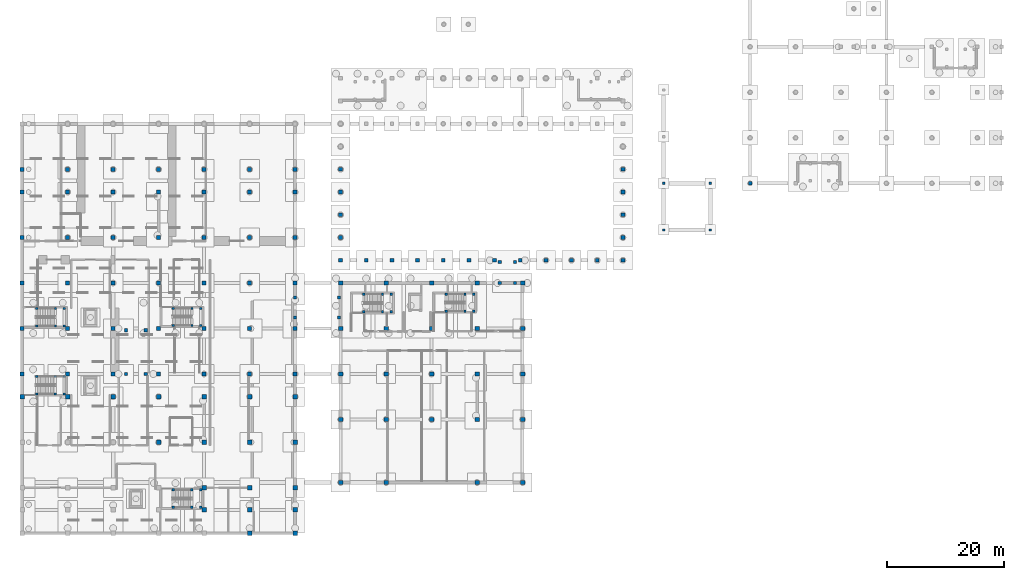
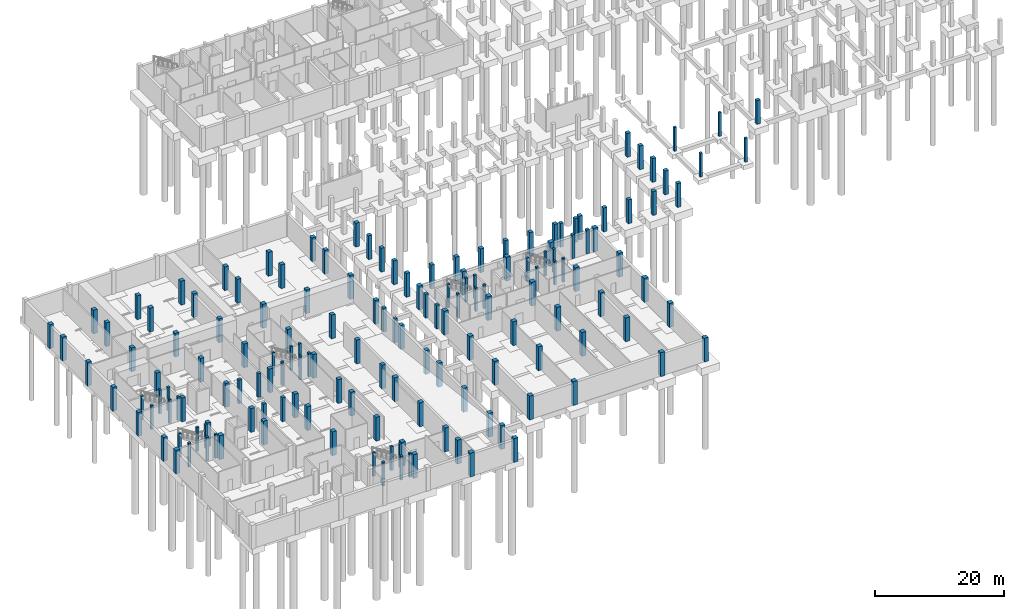
# One storey, part 6 of 24: 158 columns.
"""IFC4 building model written with IfcOpenShell, lengths in metres."""

from ifc_helpers import new_model, si_unit, direction, frame, origin, origin_2d, place, context, subcontext, project, spatial, rectangle, extrude, material, material_profile, profile_set, type_object, element, save


model = new_model("IFC4")

# Units and contexts
model_context = context("Model", 3, precision=1e-05, world=origin(), true_north=direction((0.0, 1.0)))
body_context = subcontext(model_context, "Body", "Model", "MODEL_VIEW")
ifc_project = project(units=[si_unit("LENGTHUNIT", "METRE"), si_unit("AREAUNIT", "SQUARE_METRE"), si_unit("VOLUMEUNIT", "CUBIC_METRE"), si_unit("PLANEANGLEUNIT", "RADIAN"), si_unit("MASSUNIT", "GRAM", prefix="KILO")], contexts=[model_context])

# Site, building, storey
site_placement = place(None, origin())
site = spatial("IfcSite", under=ifc_project, at=site_placement, CompositionType="ELEMENT")
building_placement = place(site_placement, origin())
building = spatial("IfcBuilding", under=site, at=building_placement, Name="Celorna Specialist Clinic", CompositionType="ELEMENT")
storey_placement = place(building_placement, frame((0.0, 0.0, -4.5)))
storey = spatial("IfcBuildingStorey", under=building, at=storey_placement, Name="B01", CompositionType="ELEMENT", Elevation=-4.5)

# Columns
ifc_material_1 = material(Name="Concrete C40/50", Category="concrete")
ifc_material_profile_1 = material_profile(ifc_material_1, rectangle(XDim=0.75, YDim=0.75, at=origin_2d()), Name="RC 750x750")
ifc_profile_set_1 = profile_set([ifc_material_profile_1], Name="Concrete C40/50")
column_type_1 = type_object("IfcColumnType", Name="CT-01", PredefinedType="COLUMN", material=ifc_profile_set_1)
for number, where, z_axis, x_axis, name in (
    (1, (0.0, 23.39990234375, 0.0), (0.0, 0.0, 1.0), (1.0, 0.0, 0.0), "Column CT-01 B01 X01/YE"),
    (2, (7.800048828125, 23.39990234375, 0.0), (0.0, 0.0, 1.0), (1.0, 0.0, 0.0), "Column CT-01 B01 X02/YE"),
    (3, (15.60009765625, 23.39990234375, 0.0), (0.0, 0.0, 1.0), (1.0, 0.0, 0.0), "Column CT-01 B01 X03/YE"),
    (4, (23.39990234375, 15.60009765625, 0.0), (0.0, 0.0, 1.0), (1.0, 0.0, 0.0), "Column CT-01 B01 X04/YD"),
    (5, (23.39990234375, 23.39990234375, 0.0), (0.0, 0.0, 1.0), (1.0, 0.0, 0.0), "Column CT-01 B01 X04/YE"),
    (6, (31.199951171875, 4.0, 0.0), (0.0, 0.0, 1.0), (1.0, 0.0, 0.0), "Column CT-01 B01 X05/YA1"),
    (7, (31.199951171875, 7.800048828125, 0.0), (0.0, 0.0, 1.0), (1.0, 0.0, 0.0), "Column CT-01 B01 X05/YC"),
    (8, (31.199951171875, 15.60009765625, 0.0), (0.0, 0.0, 1.0), (1.0, 0.0, 0.0), "Column CT-01 B01 X05/YD"),
    (9, (31.199951171875, 23.39990234375, 0.0), (0.0, 0.0, 1.0), (1.0, 0.0, 0.0), "Column CT-01 B01 X05/YE"),
    (10, (39.0, 0.0, 0.0), (0.0, 0.0, 1.0), (1.0, 0.0, 0.0), "Column CT-01 B01 X06/YA"),
    (11, (39.0, 4.0, 0.0), (0.0, 0.0, 1.0), (1.0, 0.0, 0.0), "Column CT-01 B01 X06/YA1"),
    (12, (39.0, 7.800048828125, 0.0), (0.0, 0.0, 1.0), (1.0, 0.0, 0.0), "Column CT-01 B01 X06/YC"),
    (13, (39.0, 15.60009765625, 0.0), (0.0, 0.0, 1.0), (1.0, 0.0, 0.0), "Column CT-01 B01 X06/YD"),
    (14, (39.0, 23.39990234375, 0.0), (0.0, 0.0, 1.0), (1.0, 0.0, 0.0), "Column CT-01 B01 X06/YE"),
    (15, (46.800048828125, 0.0, 0.0), (0.0, 0.0, 1.0), (1.0, 0.0, 0.0), "Column CT-01 B01 X07/YA"),
    (16, (46.800048828125, 4.0, 0.0), (0.0, 0.0, 1.0), (1.0, 0.0, 0.0), "Column CT-01 B01 X07/YA1"),
    (17, (46.800048828125, 7.800048828125, 0.0), (0.0, 0.0, 1.0), (1.0, 0.0, 0.0), "Column CT-01 B01 X07/YC"),
    (18, (46.800048828125, 15.60009765625, 0.0), (0.0, 0.0, 1.0), (1.0, 0.0, 0.0), "Column CT-01 B01 X07/YD"),
    (19, (46.800048828125, 23.39990234375, 0.0), (0.0, 0.0, 1.0), (1.0, 0.0, 0.0), "Column CT-01 B01 X07/YE"),
    (20, (54.60009765625, 19.5, 0.0), (0.0, 0.0, 1.0), (1.0, 0.0, 0.0), "Column CT-01 B01 X08/YE"),
    (21, (54.60009765625, 27.300048828125, 0.0), (0.0, 0.0, 1.0), (1.0, 0.0, 0.0), "Column CT-01 B01 X08/YF"),
    (22, (54.60009765625, 35.10009765625, 0.0), (0.0, 0.0, 1.0), (1.0, 0.0, 0.0), "Column CT-01 B01 X08/YG"),
    (23, (54.60009765625, 42.89990234375, 0.0), (0.0, 0.0, 1.0), (1.0, 0.0, 0.0), "Column CT-01 B01 X08/YH"),
    (24, (62.39990234375, 19.5, 0.0), (0.0, 0.0, 1.0), (1.0, 0.0, 0.0), "Column CT-01 B01 X09/YE"),
    (25, (62.39990234375, 27.300048828125, 0.0), (0.0, 0.0, 1.0), (1.0, 0.0, 0.0), "Column CT-01 B01 X09/YF"),
    (26, (62.39990234375, 35.10009765625, 0.0), (0.0, 0.0, 1.0), (1.0, 0.0, 0.0), "Column CT-01 B01 X09/YG"),
    (27, (62.39990234375, 42.89990234375, 0.0), (0.0, 0.0, 1.0), (1.0, 0.0, 0.0), "Column CT-01 B01 X09/YH"),
    (28, (70.199951171875, 19.5, 0.0), (0.0, 0.0, 1.0), (1.0, 0.0, 0.0), "Column CT-01 B01 X10/YE"),
    (29, (70.199951171875, 27.300048828125, 0.0), (0.0, 0.0, 1.0), (1.0, 0.0, 0.0), "Column CT-01 B01 X10/YF"),
    (30, (70.199951171875, 35.10009765625, 0.0), (0.0, 0.0, 1.0), (1.0, 0.0, 0.0), "Column CT-01 B01 X10/YG"),
    (31, (70.199951171875, 42.89990234375, 0.0), (0.0, 0.0, 1.0), (1.0, 0.0, 0.0), "Column CT-01 B01 X10/YH"),
    (32, (78.0, 19.5, 0.0), (0.0, 0.0, 1.0), (1.0, 0.0, 0.0), "Column CT-01 B01 X11/YE"),
    (33, (78.0, 27.300048828125, 0.0), (0.0, 0.0, 1.0), (1.0, 0.0, 0.0), "Column CT-01 B01 X11/YF"),
    (34, (78.0, 35.10009765625, 0.0), (0.0, 0.0, 1.0), (1.0, 0.0, 0.0), "Column CT-01 B01 X11/YG"),
    (35, (78.0, 42.89990234375, 0.0), (0.0, 0.0, 1.0), (1.0, 0.0, 0.0), "Column CT-01 B01 X11/YH"),
    (36, (85.800048828125, 19.5, 0.0), (0.0, 0.0, 1.0), (1.0, 0.0, 0.0), "Column CT-01 B01 X12/YE"),
    (37, (85.800048828125, 27.300048828125, 0.0), (0.0, 0.0, 1.0), (1.0, 0.0, 0.0), "Column CT-01 B01 X12/YF"),
    (38, (85.800048828125, 35.10009765625, 0.0), (0.0, 0.0, 1.0), (1.0, 0.0, 0.0), "Column CT-01 B01 X12/YG"),
    (39, (85.800048828125, 42.89990234375, 0.0), (0.0, 0.0, 1.0), (1.0, 0.0, 0.0), "Column CT-01 B01 X12/YH"),
    (40, (54.60009765625, 8.699951171875, 0.0), (0.0, 0.0, 1.0), (1.0, 0.0, 0.0), "Portico substructure pier CT-01 B01 X08/YC"),
    (41, (62.39990234375, 8.699951171875, 0.0), (0.0, 0.0, 1.0), (1.0, 0.0, 0.0), "Portico substructure pier CT-01 B01 X09/YC"),
    (42, (78.0, 8.699951171875, 0.0), (0.0, 0.0, 1.0), (1.0, 0.0, 0.0), "Portico substructure pier CT-01 B01 X11/YC"),
    (43, (85.800048828125, 8.699951171875, 0.0), (0.0, 0.0, 1.0), (1.0, 0.0, 0.0), "Portico substructure pier CT-01 B01 X12/YC"),
):
    element("IfcColumn", number, at=place(storey_placement, frame(where, z_axis=z_axis, x_axis=x_axis)), inside=storey, type_object=column_type_1, Name=name, PredefinedType="COLUMN", context=body_context, shape_type="SweptSolid", body=[
        extrude(rectangle(XDim=0.75, YDim=0.75, at=origin_2d()), origin(), (0.0, 0.0, 1.0), 4.5),
    ])
ifc_material_profile_2 = material_profile(ifc_material_1, rectangle(XDim=0.699951171875, YDim=0.699951171875, at=origin_2d()), Name="RC 700x700")
ifc_profile_set_2 = profile_set([ifc_material_profile_2], Name="Concrete C40/50")
column_type_2 = type_object("IfcColumnType", Name="CT-02", PredefinedType="COLUMN", material=ifc_profile_set_2)
for number, where, z_axis, x_axis, name in (
    (44, (0.0, 27.300048828125, 0.0), (0.0, 0.0, 1.0), (1.0, 0.0, 0.0), "Column CT-02 B01 X01/YF"),
    (45, (0.0, 35.10009765625, 0.0), (0.0, 0.0, 1.0), (1.0, 0.0, 0.0), "Column CT-02 B01 X01/YG"),
    (46, (0.0, 42.89990234375, 0.0), (0.0, 0.0, 1.0), (1.0, 0.0, 0.0), "Column CT-02 B01 X01/YH"),
    (47, (0.0, 50.699951171875, 0.0), (0.0, 0.0, 1.0), (1.0, 0.0, 0.0), "Column CT-02 B01 X01/YK"),
    (48, (0.0, 58.5, 0.0), (0.0, 0.0, 1.0), (1.0, 0.0, 0.0), "Column CT-02 B01 X01/YL"),
    (49, (0.0, 62.39990234375, 0.0), (0.0, 0.0, 1.0), (1.0, 0.0, 0.0), "Column CT-02 B01 X01/YM"),
    (50, (7.800048828125, 27.300048828125, 0.0), (0.0, 0.0, 1.0), (1.0, 0.0, 0.0), "Column CT-02 B01 X02/YF"),
    (51, (7.800048828125, 35.10009765625, 0.0), (0.0, 0.0, 1.0), (1.0, 0.0, 0.0), "Column CT-02 B01 X02/YG"),
    (52, (7.800048828125, 42.89990234375, 0.0), (0.0, 0.0, 1.0), (1.0, 0.0, 0.0), "Column CT-02 B01 X02/YH"),
    (53, (7.800048828125, 50.699951171875, 0.0), (0.0, 0.0, 1.0), (1.0, 0.0, 0.0), "Column CT-02 B01 X02/YK"),
    (54, (7.800048828125, 58.5, 0.0), (0.0, 0.0, 1.0), (1.0, 0.0, 0.0), "Column CT-02 B01 X02/YL"),
    (55, (7.800048828125, 62.39990234375, 0.0), (0.0, 0.0, 1.0), (1.0, 0.0, 0.0), "Column CT-02 B01 X02/YM"),
    (56, (15.60009765625, 27.300048828125, 0.0), (0.0, 0.0, 1.0), (1.0, 0.0, 0.0), "Column CT-02 B01 X03/YF"),
    (57, (15.60009765625, 35.10009765625, 0.0), (0.0, 0.0, 1.0), (1.0, 0.0, 0.0), "Column CT-02 B01 X03/YG"),
    (58, (15.60009765625, 42.89990234375, 0.0), (0.0, 0.0, 1.0), (1.0, 0.0, 0.0), "Column CT-02 B01 X03/YH"),
    (59, (15.60009765625, 50.699951171875, 0.0), (0.0, 0.0, 1.0), (1.0, 0.0, 0.0), "Column CT-02 B01 X03/YK"),
    (60, (15.60009765625, 58.5, 0.0), (0.0, 0.0, 1.0), (1.0, 0.0, 0.0), "Column CT-02 B01 X03/YL"),
    (61, (15.60009765625, 62.39990234375, 0.0), (0.0, 0.0, 1.0), (1.0, 0.0, 0.0), "Column CT-02 B01 X03/YM"),
    (62, (23.39990234375, 27.300048828125, 0.0), (0.0, 0.0, 1.0), (1.0, 0.0, 0.0), "Column CT-02 B01 X04/YF"),
    (63, (23.39990234375, 35.10009765625, 0.0), (0.0, 0.0, 1.0), (1.0, 0.0, 0.0), "Column CT-02 B01 X04/YG"),
    (64, (23.39990234375, 42.89990234375, 0.0), (0.0, 0.0, 1.0), (1.0, 0.0, 0.0), "Column CT-02 B01 X04/YH"),
    (65, (23.39990234375, 50.699951171875, 0.0), (0.0, 0.0, 1.0), (1.0, 0.0, 0.0), "Column CT-02 B01 X04/YK"),
    (66, (23.39990234375, 58.5, 0.0), (0.0, 0.0, 1.0), (1.0, 0.0, 0.0), "Column CT-02 B01 X04/YL"),
    (67, (23.39990234375, 62.39990234375, 0.0), (0.0, 0.0, 1.0), (1.0, 0.0, 0.0), "Column CT-02 B01 X04/YM"),
    (68, (31.199951171875, 27.300048828125, 0.0), (0.0, 0.0, 1.0), (1.0, 0.0, 0.0), "Column CT-02 B01 X05/YF"),
    (69, (31.199951171875, 35.10009765625, 0.0), (0.0, 0.0, 1.0), (1.0, 0.0, 0.0), "Column CT-02 B01 X05/YG"),
    (70, (31.199951171875, 42.89990234375, 0.0), (0.0, 0.0, 1.0), (1.0, 0.0, 0.0), "Column CT-02 B01 X05/YH"),
    (71, (31.199951171875, 50.699951171875, 0.0), (0.0, 0.0, 1.0), (1.0, 0.0, 0.0), "Column CT-02 B01 X05/YK"),
    (72, (31.199951171875, 58.5, 0.0), (0.0, 0.0, 1.0), (1.0, 0.0, 0.0), "Column CT-02 B01 X05/YL"),
    (73, (31.199951171875, 62.39990234375, 0.0), (0.0, 0.0, 1.0), (1.0, 0.0, 0.0), "Column CT-02 B01 X05/YM"),
    (74, (39.0, 27.300048828125, 0.0), (0.0, 0.0, 1.0), (1.0, 0.0, 0.0), "Column CT-02 B01 X06/YF"),
    (75, (39.0, 35.10009765625, 0.0), (0.0, 0.0, 1.0), (1.0, 0.0, 0.0), "Column CT-02 B01 X06/YG"),
    (76, (39.0, 42.89990234375, 0.0), (0.0, 0.0, 1.0), (1.0, 0.0, 0.0), "Column CT-02 B01 X06/YH"),
    (77, (39.0, 50.699951171875, 0.0), (0.0, 0.0, 1.0), (1.0, 0.0, 0.0), "Column CT-02 B01 X06/YK"),
    (78, (39.0, 58.5, 0.0), (0.0, 0.0, 1.0), (1.0, 0.0, 0.0), "Column CT-02 B01 X06/YL"),
    (79, (39.0, 62.39990234375, 0.0), (0.0, 0.0, 1.0), (1.0, 0.0, 0.0), "Column CT-02 B01 X06/YM"),
    (80, (46.800048828125, 27.300048828125, 0.0), (0.0, 0.0, 1.0), (1.0, 0.0, 0.0), "Column CT-02 B01 X07/YF"),
    (81, (46.800048828125, 35.10009765625, 0.0), (0.0, 0.0, 1.0), (1.0, 0.0, 0.0), "Column CT-02 B01 X07/YG"),
    (82, (46.800048828125, 42.89990234375, 0.0), (0.0, 0.0, 1.0), (1.0, 0.0, 0.0), "Column CT-02 B01 X07/YH"),
    (83, (46.800048828125, 50.699951171875, 0.0), (0.0, 0.0, 1.0), (1.0, 0.0, 0.0), "Column CT-02 B01 X07/YK"),
    (84, (46.800048828125, 58.5, 0.0), (0.0, 0.0, 1.0), (1.0, 0.0, 0.0), "Column CT-02 B01 X07/YL"),
    (85, (46.800048828125, 62.39990234375, 0.0), (0.0, 0.0, 1.0), (1.0, 0.0, 0.0), "Column CT-02 B01 X07/YM"),
):
    element("IfcColumn", number, at=place(storey_placement, frame(where, z_axis=z_axis, x_axis=x_axis)), inside=storey, type_object=column_type_2, Name=name, PredefinedType="COLUMN", context=body_context, shape_type="SweptSolid", body=[
        extrude(rectangle(XDim=0.699951171875, YDim=0.699951171875, at=origin_2d()), origin(), (0.0, 0.0, 1.0), 4.5),
    ])
ifc_material_profile_3 = material_profile(ifc_material_1, rectangle(XDim=0.64990234375, YDim=0.64990234375, at=origin_2d()), Name="RC 650x650")
ifc_profile_set_3 = profile_set([ifc_material_profile_3], Name="Concrete C40/50")
column_type_3 = type_object("IfcColumnType", Name="CT-03", PredefinedType="COLUMN", material=ifc_profile_set_3)
for number, where, z_axis, x_axis, name in (
    (86, (54.60009765625, 46.800048828125, 0.0), (0.0, 0.0, 1.0), (1.0, 0.0, 0.0), "Column CT-03 B01 X08/YJ"),
    (87, (59.0, 46.800048828125, 0.0), (0.0, 0.0, 1.0), (1.0, 0.0, 0.0), "Column CT-03 B01 X09/YJ"),
    (88, (63.39990234375, 46.800048828125, 0.0), (0.0, 0.0, 1.0), (1.0, 0.0, 0.0), "Column CT-03 B01 X09/YJ"),
    (89, (67.800048828125, 46.800048828125, 0.0), (0.0, 0.0, 1.0), (1.0, 0.0, 0.0), "Column CT-03 B01 X10/YJ"),
    (90, (72.199951171875, 46.800048828125, 0.0), (0.0, 0.0, 1.0), (1.0, 0.0, 0.0), "Column CT-03 B01 X10/YJ"),
    (91, (76.60009765625, 46.800048828125, 0.0), (0.0, 0.0, 1.0), (1.0, 0.0, 0.0), "Column CT-03 B01 X11/YJ"),
    (92, (81.0, 46.800048828125, 0.0), (0.0, 0.0, 1.0), (1.0, 0.0, 0.0), "Column CT-03 B01 X11/YJ"),
    (93, (85.39990234375, 46.800048828125, 0.0), (0.0, 0.0, 1.0), (1.0, 0.0, 0.0), "Column CT-03 B01 X12/YJ"),
    (94, (89.800048828125, 46.800048828125, 0.0), (0.0, 0.0, 1.0), (1.0, 0.0, 0.0), "Column CT-03 B01 X13/YJ"),
    (95, (94.199951171875, 46.800048828125, 0.0), (0.0, 0.0, 1.0), (1.0, 0.0, 0.0), "Column CT-03 B01 X13/YJ"),
    (96, (98.60009765625, 46.800048828125, 0.0), (0.0, 0.0, 1.0), (1.0, 0.0, 0.0), "Column CT-03 B01 X14/YJ"),
    (97, (103.0, 46.800048828125, 0.0), (0.0, 0.0, 1.0), (1.0, 0.0, 0.0), "Column CT-03 B01 X14A/YJ"),
    (98, (54.60009765625, 50.699951171875, 0.0), (0.0, 0.0, 1.0), (1.0, 0.0, 0.0), "Column CT-03 B01 X08/YK"),
    (99, (103.0, 50.699951171875, 0.0), (0.0, 0.0, 1.0), (1.0, 0.0, 0.0), "Column CT-03 B01 X14A/YK"),
    (100, (54.60009765625, 54.60009765625, 0.0), (0.0, 0.0, 1.0), (1.0, 0.0, 0.0), "Column CT-03 B01 X08/YK"),
    (101, (103.0, 54.60009765625, 0.0), (0.0, 0.0, 1.0), (1.0, 0.0, 0.0), "Column CT-03 B01 X14A/YK"),
    (102, (54.60009765625, 58.5, 0.0), (0.0, 0.0, 1.0), (1.0, 0.0, 0.0), "Column CT-03 B01 X08/YL"),
    (103, (103.0, 58.5, 0.0), (0.0, 0.0, 1.0), (1.0, 0.0, 0.0), "Column CT-03 B01 X14A/YL"),
    (104, (54.60009765625, 62.39990234375, 0.0), (0.0, 0.0, 1.0), (1.0, 0.0, 0.0), "Column CT-03 B01 X08/YM"),
    (105, (103.0, 62.39990234375, 0.0), (0.0, 0.0, 1.0), (1.0, 0.0, 0.0), "Column CT-03 B01 X14A/YM"),
):
    element("IfcColumn", number, at=place(storey_placement, frame(where, z_axis=z_axis, x_axis=x_axis)), inside=storey, type_object=column_type_3, Name=name, PredefinedType="COLUMN", context=body_context, shape_type="SweptSolid", body=[
        extrude(rectangle(XDim=0.64990234375, YDim=0.64990234375, at=origin_2d()), origin(), (0.0, 0.0, 1.0), 4.5),
    ])
ifc_material_profile_4 = material_profile(ifc_material_1, rectangle(XDim=0.60009765625, YDim=0.60009765625, at=origin_2d()), Name="RC 600x600")
ifc_profile_set_4 = profile_set([ifc_material_profile_4], Name="Concrete C40/50")
column_type_4 = type_object("IfcColumnType", Name="CT-04", PredefinedType="COLUMN", material=ifc_profile_set_4)
column_placement = place(storey_placement, frame((124.800048828125, 60.0, 0.0), z_axis=(0.0, 0.0, 1.0), x_axis=(1.0, 0.0, 0.0)))
element("IfcColumn", 106, at=column_placement, inside=storey, type_object=column_type_4, Name="Column CT-04 B01 X17/YL", PredefinedType="COLUMN", context=body_context, shape_type="SweptSolid", body=[
    extrude(rectangle(XDim=0.60009765625, YDim=0.60009765625, at=origin_2d()), origin(), (0.0, 0.0, 1.0), 4.5),
])
ifc_material_2 = material(Name="Concrete C35/45", Category="concrete")
ifc_material_profile_5 = material_profile(ifc_material_2, rectangle(XDim=0.550048828125, YDim=0.550048828125, at=origin_2d()), Name="RC 550x550")
ifc_profile_set_5 = profile_set([ifc_material_profile_5], Name="Concrete C35/45")
column_type_5 = type_object("IfcColumnType", Name="CT-05", PredefinedType="COLUMN", material=ifc_profile_set_5)
for number, where, z_axis, x_axis, name in (
    (107, (17.800048828125, 27.300048828125, 0.0), (0.0, 0.0, 1.0), (1.0, 0.0, 0.0), "Column CT-05 B01 X03/YF"),
    (108, (21.199951171875, 27.300048828125, 0.0), (0.0, 0.0, 1.0), (1.0, 0.0, 0.0), "Column CT-05 B01 X04/YF"),
    (109, (17.800048828125, 34.800048828125, 0.0), (0.0, 0.0, 1.0), (1.0, 0.0, 0.0), "Column CT-05 B01 X03/YG"),
    (110, (21.199951171875, 34.800048828125, 0.0), (0.0, 0.0, 1.0), (1.0, 0.0, 0.0), "Column CT-05 B01 X04/YG"),
    (111, (46.800048828125, 37.0, 0.0), (0.0, 0.0, 1.0), (1.0, 0.0, 0.0), "Column CT-05 B01 X07/YG"),
    (112, (54.300048828125, 37.0, 0.0), (0.0, 0.0, 1.0), (1.0, 0.0, 0.0), "Column CT-05 B01 X08/YG"),
    (113, (46.800048828125, 40.39990234375, 0.0), (0.0, 0.0, 1.0), (1.0, 0.0, 0.0), "Column CT-05 B01 X07/YH"),
    (114, (54.300048828125, 40.39990234375, 0.0), (0.0, 0.0, 1.0), (1.0, 0.0, 0.0), "Column CT-05 B01 X08/YH"),
    (115, (81.89990234375, 42.89990234375, 0.0), (0.0, 0.0, 1.0), (1.0, 0.0, 0.0), "Column CT-05 B01 X11/YH"),
    (116, (84.5, 42.89990234375, 0.0), (0.0, 0.0, 1.0), (1.0, 0.0, 0.0), "Column CT-05 B01 X12/YH"),
    (117, (81.89990234375, 46.5, 0.0), (0.0, 0.0, 1.0), (1.0, 0.0, 0.0), "Column CT-05 B01 X11/YJ"),
    (118, (84.5, 46.5, 0.0), (0.0, 0.0, 1.0), (1.0, 0.0, 0.0), "Column CT-05 B01 X12/YJ"),
):
    element("IfcColumn", number, at=place(storey_placement, frame(where, z_axis=z_axis, x_axis=x_axis)), inside=storey, type_object=column_type_5, Name=name, PredefinedType="COLUMN", context=body_context, shape_type="SweptSolid", body=[
        extrude(rectangle(XDim=0.550048828125, YDim=0.550048828125, at=origin_2d()), origin(), (0.0, 0.0, 1.0), 4.5),
    ])
ifc_material_profile_6 = material_profile(ifc_material_2, rectangle(XDim=0.39990234375, YDim=0.39990234375, at=origin_2d()), Name="RC 400x400")
ifc_profile_set_6 = profile_set([ifc_material_profile_6], Name="Concrete C35/45")
column_type_6 = type_object("IfcColumnType", Name="CT-08", PredefinedType="COLUMN", material=ifc_profile_set_6)
for number, where, z_axis, x_axis, name in (
    (119, (2.489990234375, 23.8701171875, 0.0), (0.0, 0.0, 1.0), (1.0, 0.0, 0.0), "Stair ST-04 landing column CT-08 B01 X01/YF"),
    (120, (2.489990234375, 26.8701171875, 0.0), (0.0, 0.0, 1.0), (1.0, 0.0, 0.0), "Stair ST-04 landing column CT-08 B01 X01/YF"),
    (121, (5.68994140625, 23.8701171875, 0.0), (0.0, 0.0, 1.0), (1.0, 0.0, 0.0), "Stair ST-04 landing column CT-08 B01 X02/YF"),
    (122, (5.68994140625, 26.8701171875, 0.0), (0.0, 0.0, 1.0), (1.0, 0.0, 0.0), "Stair ST-04 landing column CT-08 B01 X02/YF"),
    (123, (7.2099609375, 23.8701171875, 0.0), (0.0, 0.0, 1.0), (1.0, 0.0, 0.0), "Stair ST-04 landing column CT-08 B01 X02/YF"),
    (124, (7.2099609375, 26.8701171875, 0.0), (0.0, 0.0, 1.0), (1.0, 0.0, 0.0), "Stair ST-04 landing column CT-08 B01 X02/YF"),
    (125, (25.889892578125, 4.429931640625, 0.0), (0.0, 0.0, 1.0), (1.0, 0.0, 0.0), "Stair ST-05 landing column CT-08 B01 X04/YA1"),
    (126, (25.889892578125, 7.429931640625, 0.0), (0.0, 0.0, 1.0), (1.0, 0.0, 0.0), "Stair ST-05 landing column CT-08 B01 X04/YC"),
    (127, (29.090087890625, 4.429931640625, 0.0), (0.0, 0.0, 1.0), (1.0, 0.0, 0.0), "Stair ST-05 landing column CT-08 B01 X05/YA1"),
    (128, (29.090087890625, 7.429931640625, 0.0), (0.0, 0.0, 1.0), (1.0, 0.0, 0.0), "Stair ST-05 landing column CT-08 B01 X05/YC"),
    (129, (30.610107421875, 4.429931640625, 0.0), (0.0, 0.0, 1.0), (1.0, 0.0, 0.0), "Stair ST-05 landing column CT-08 B01 X05/YA1"),
    (130, (30.610107421875, 7.429931640625, 0.0), (0.0, 0.0, 1.0), (1.0, 0.0, 0.0), "Stair ST-05 landing column CT-08 B01 X05/YC"),
    (131, (2.52001953125, 35.530029296875, 0.0), (0.0, 0.0, 1.0), (1.0, 0.0, 0.0), "Stair ST-06 landing column CT-08 B01 X01/YG"),
    (132, (2.52001953125, 38.530029296875, 0.0), (0.0, 0.0, 1.0), (1.0, 0.0, 0.0), "Stair ST-06 landing column CT-08 B01 X01/YG"),
    (133, (5.719970703125, 35.530029296875, 0.0), (0.0, 0.0, 1.0), (1.0, 0.0, 0.0), "Stair ST-06 landing column CT-08 B01 X02/YG"),
    (134, (5.719970703125, 38.530029296875, 0.0), (0.0, 0.0, 1.0), (1.0, 0.0, 0.0), "Stair ST-06 landing column CT-08 B01 X02/YG"),
    (135, (7.239990234375, 35.530029296875, 0.0), (0.0, 0.0, 1.0), (1.0, 0.0, 0.0), "Stair ST-06 landing column CT-08 B01 X02/YG"),
    (136, (7.239990234375, 38.530029296875, 0.0), (0.0, 0.0, 1.0), (1.0, 0.0, 0.0), "Stair ST-06 landing column CT-08 B01 X02/YG"),
    (137, (25.919921875, 35.6298828125, 0.0), (0.0, 0.0, 1.0), (1.0, 0.0, 0.0), "Stair ST-07 landing column CT-08 B01 X04/YG"),
    (138, (25.919921875, 38.530029296875, 0.0), (0.0, 0.0, 1.0), (1.0, 0.0, 0.0), "Stair ST-07 landing column CT-08 B01 X04/YG"),
    (139, (29.1201171875, 35.6298828125, 0.0), (0.0, 0.0, 1.0), (1.0, 0.0, 0.0), "Stair ST-07 landing column CT-08 B01 X05/YG"),
    (140, (29.1201171875, 38.530029296875, 0.0), (0.0, 0.0, 1.0), (1.0, 0.0, 0.0), "Stair ST-07 landing column CT-08 B01 X05/YG"),
    (141, (30.639892578125, 35.6298828125, 0.0), (0.0, 0.0, 1.0), (1.0, 0.0, 0.0), "Stair ST-07 landing column CT-08 B01 X05/YG"),
    (142, (30.639892578125, 38.530029296875, 0.0), (0.0, 0.0, 1.0), (1.0, 0.0, 0.0), "Stair ST-07 landing column CT-08 B01 X05/YG"),
    (143, (58.580078125, 37.969970703125, 0.0), (0.0, 0.0, 1.0), (1.0, 0.0, 0.0), "Stair ST-08 landing column CT-08 B01 X09/YG"),
    (144, (58.580078125, 40.969970703125, 0.0), (0.0, 0.0, 1.0), (1.0, 0.0, 0.0), "Stair ST-08 landing column CT-08 B01 X09/YH"),
    (145, (61.780029296875, 37.969970703125, 0.0), (0.0, 0.0, 1.0), (1.0, 0.0, 0.0), "Stair ST-08 landing column CT-08 B01 X09/YG"),
    (146, (61.780029296875, 40.969970703125, 0.0), (0.0, 0.0, 1.0), (1.0, 0.0, 0.0), "Stair ST-08 landing column CT-08 B01 X09/YH"),
    (147, (63.300048828125, 37.969970703125, 0.0), (0.0, 0.0, 1.0), (1.0, 0.0, 0.0), "Stair ST-08 landing column CT-08 B01 X09/YG"),
    (148, (63.300048828125, 40.969970703125, 0.0), (0.0, 0.0, 1.0), (1.0, 0.0, 0.0), "Stair ST-08 landing column CT-08 B01 X09/YH"),
    (149, (72.719970703125, 38.070068359375, 0.0), (0.0, 0.0, 1.0), (1.0, 0.0, 0.0), "Stair ST-09 landing column CT-08 B01 X10/YG"),
    (150, (72.719970703125, 40.969970703125, 0.0), (0.0, 0.0, 1.0), (1.0, 0.0, 0.0), "Stair ST-09 landing column CT-08 B01 X10/YH"),
    (151, (75.919921875, 38.070068359375, 0.0), (0.0, 0.0, 1.0), (1.0, 0.0, 0.0), "Stair ST-09 landing column CT-08 B01 X11/YG"),
    (152, (75.919921875, 40.969970703125, 0.0), (0.0, 0.0, 1.0), (1.0, 0.0, 0.0), "Stair ST-09 landing column CT-08 B01 X11/YH"),
    (153, (77.43994140625, 38.070068359375, 0.0), (0.0, 0.0, 1.0), (1.0, 0.0, 0.0), "Stair ST-09 landing column CT-08 B01 X11/YG"),
    (154, (77.43994140625, 40.969970703125, 0.0), (0.0, 0.0, 1.0), (1.0, 0.0, 0.0), "Stair ST-09 landing column CT-08 B01 X11/YH"),
    (155, (110.0, 52.0, 0.0), (0.0, 0.0, 1.0), (1.0, 0.0, 0.0), "Garden colonnade plinth pier #1"),
    (156, (110.0, 60.0, 0.0), (0.0, 0.0, 1.0), (1.0, 0.0, 0.0), "Garden colonnade plinth pier #2"),
    (157, (118.0, 52.0, 0.0), (0.0, 0.0, 1.0), (1.0, 0.0, 0.0), "Garden colonnade plinth pier #5"),
    (158, (118.0, 60.0, 0.0), (0.0, 0.0, 1.0), (1.0, 0.0, 0.0), "Garden colonnade plinth pier #6"),
):
    element("IfcColumn", number, at=place(storey_placement, frame(where, z_axis=z_axis, x_axis=x_axis)), inside=storey, type_object=column_type_6, Name=name, PredefinedType="COLUMN", context=body_context, shape_type="SweptSolid", body=[
        extrude(rectangle(XDim=0.39990234375, YDim=0.39990234375, at=origin_2d()), origin(), (0.0, 0.0, 1.0), 4.5),
    ])

save(model, "model.ifc")
